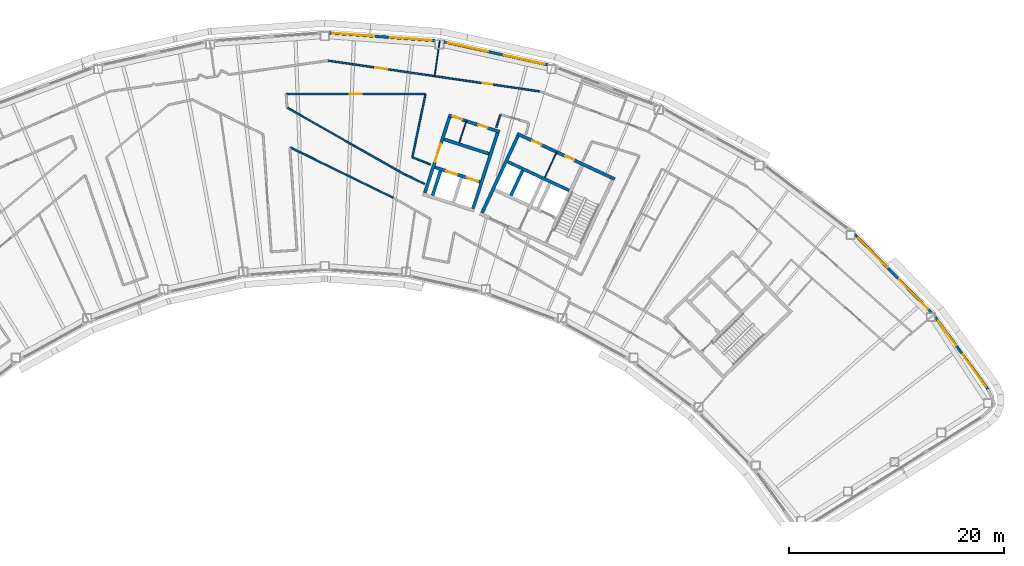
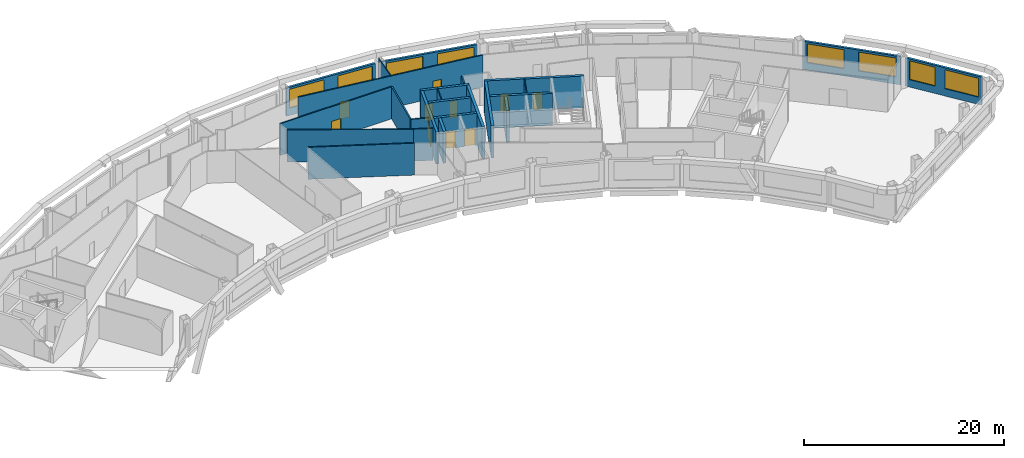
# One storey, part 10 of 16: 25 walls, 10 doors, 8 windows, 18 openings.
"""IFC4 building model written with IfcOpenShell, lengths in metres."""

from ifc_helpers import new_model, si_unit, direction, frame, frame_2d, origin, place, context, subcontext, project, spatial, rectangle, extrude, material, layer, layer_set, type_object, element, fill, save


model = new_model("IFC4")

# Units and contexts
model_context = context("Model", 3, precision=1e-05, world=origin(), true_north=direction((0.0, 1.0)))
body_context = subcontext(model_context, "Body", "Model", "MODEL_VIEW")
ifc_project = project(units=[si_unit("LENGTHUNIT", "METRE"), si_unit("AREAUNIT", "SQUARE_METRE"), si_unit("VOLUMEUNIT", "CUBIC_METRE"), si_unit("PLANEANGLEUNIT", "RADIAN"), si_unit("MASSUNIT", "GRAM", prefix="KILO")], contexts=[model_context])

# Site, building, storey
site_placement = place(None, origin())
site = spatial("IfcSite", under=ifc_project, at=site_placement, CompositionType="ELEMENT")
building_placement = place(site_placement, origin())
building = spatial("IfcBuilding", under=site, at=building_placement, Name="Tuul Gate Civic Tower", CompositionType="ELEMENT")
storey_placement = place(building_placement, frame((0.0, 0.0, 261.0)))
storey = spatial("IfcBuildingStorey", under=building, at=storey_placement, Name="Level 59", CompositionType="ELEMENT", Elevation=261.0)

# Wall
ifc_material_1 = material(Name="Concrete C50/60", Category="concrete")
ifc_layer_1 = layer(ifc_material_1, 0.300048828125)
ifc_layer_set_1 = layer_set([ifc_layer_1], Name="Concrete C50/60")
wall_type_1 = type_object("IfcWallType", Name="Core wall C50/60", PredefinedType="SHEAR", material=ifc_layer_set_1)
wall_1_placement = place(storey_placement, frame((33.75, -0.873779296875, 0.0), z_axis=(0.0, 0.0, 1.0), x_axis=(-0.906300917592, 0.422632992999, 0.0)))
element("IfcWall", 1, at=wall_1_placement, inside=storey, type_object=wall_type_1, Name="Core wall", PredefinedType="SHEAR", context=body_context, shape_type="SweptSolid", body=[
    extrude(rectangle(XDim=6.300048828125, YDim=0.300048828125, at=frame_2d((3.14990234375, 0.0))), origin(), (0.0, 0.0, 1.0), 3.89990234375),
])

# Wall, openings, doors
wall_2_placement = place(storey_placement, frame((37.993408203125, 0.181884765625, 0.0), z_axis=(0.0, 0.0, 1.0), x_axis=(-0.906310338845, 0.422612789327, 0.0)))
wall_2 = element("IfcWall", 2, at=wall_2_placement, inside=storey, type_object=wall_type_1, Name="Core wall", PredefinedType="SHEAR", context=body_context, shape_type="SweptSolid", body=[
    extrude(rectangle(XDim=9.999755859375, YDim=0.300048828125, at=frame_2d((5.0, 0.0))), origin(), (0.0, 0.0, 1.0), 3.89990234375),
])
opening_1_placement = place(wall_2_placement, frame((4.14990234375, 0.0, 0.0)))
opening_1 = element("IfcOpeningElement", 3, at=opening_1_placement, cuts=wall_2, Name="Opening V-D30", PredefinedType="OPENING", context=body_context, shape_type="SweptSolid", body=[
    extrude(rectangle(XDim=0.89990234375, YDim=2.10009765625, at=frame_2d((0.449951171875, 1.050048828125))), frame((0.0, 0.16015625, 0.0), z_axis=(0.0, -1.0, 0.0), x_axis=(1.0, 0.0, 0.0)), (0.0, 0.0, 1.0), 0.320068359375),
])
opening_2_placement = place(wall_2_placement, frame((7.52490234375, 0.0, 0.0)))
opening_2 = element("IfcOpeningElement", 4, at=opening_2_placement, cuts=wall_2, Name="Opening V-D31", PredefinedType="OPENING", context=body_context, shape_type="SweptSolid", body=[
    extrude(rectangle(XDim=0.89990234375, YDim=2.10009765625, at=frame_2d((0.449951171875, 1.050048828125))), frame((0.0, 0.16015625, 0.0), z_axis=(0.0, -1.0, 0.0), x_axis=(1.0, 0.0, 0.0)), (0.0, 0.0, 1.0), 0.320068359375),
])
ifc_material_2 = material(Name="Timber door leaf", Category="wood")
door_type_1 = type_object("IfcDoorType", Name="Door D09", OperationType="NOTDEFINED", PredefinedType="DOOR", material=ifc_material_2)
door_1_placement = place(opening_1_placement, origin())
door_1 = element("IfcDoor", 5, at=door_1_placement, inside=storey, type_object=door_type_1, Name="Door V-D30", OperationType="SINGLE_SWING_LEFT", OverallHeight=2.10009765625, OverallWidth=0.89990234375, PredefinedType="DOOR", context=body_context, shape_type="SweptSolid", body=[
    extrude(rectangle(XDim=0.89990234375, YDim=2.10009765625, at=frame_2d((0.449951171875, 1.050048828125))), frame((0.0, 0.02490234375, 0.0), z_axis=(0.0, -1.0, 0.0), x_axis=(1.0, 0.0, 0.0)), (0.0, 0.0, 1.0), 0.050048828125),
])
fill(opening_1, door_1)
door_2_placement = place(opening_2_placement, origin())
door_2 = element("IfcDoor", 6, at=door_2_placement, inside=storey, type_object=door_type_1, Name="Door V-D31", OperationType="SINGLE_SWING_RIGHT", OverallHeight=2.10009765625, OverallWidth=0.89990234375, PredefinedType="DOOR", context=body_context, shape_type="SweptSolid", body=[
    extrude(rectangle(XDim=0.89990234375, YDim=2.10009765625, at=frame_2d((0.449951171875, 1.050048828125))), frame((0.0, 0.02490234375, 0.0), z_axis=(0.0, -1.0, 0.0), x_axis=(1.0, 0.0, 0.0)), (0.0, 0.0, 1.0), 0.050048828125),
])
fill(opening_2, door_2)

# Walls
wall_3_placement = place(storey_placement, frame((28.349365234375, -1.33447265625, 0.0), z_axis=(0.0, 0.0, 1.0), x_axis=(0.422612891016, 0.906310291427, 0.0)))
element("IfcWall", 7, at=wall_3_placement, inside=storey, type_object=wall_type_1, Name="Core wall", PredefinedType="SHEAR", context=body_context, shape_type="SweptSolid", body=[
    extrude(rectangle(XDim=2.550048828125, YDim=0.300048828125, at=frame_2d((1.27490234375, 0.0))), origin(), (0.0, 0.0, 1.0), 3.89990234375),
])
wall_4_placement = place(storey_placement, frame((25.66455078125, -2.951416015625, 0.0), z_axis=(0.0, 0.0, 1.0), x_axis=(0.422582604137, 0.906324413596, 0.0)))
element("IfcWall", 8, at=wall_4_placement, inside=storey, type_object=wall_type_1, Name="Core wall", PredefinedType="SHEAR", context=body_context, shape_type="SweptSolid", body=[
    extrude(rectangle(XDim=7.89990234375, YDim=0.300048828125, at=frame_2d((3.949951171875, 0.0))), origin(), (0.0, 0.0, 1.0), 3.89990234375),
])

# Wall, openings, doors
ifc_material_3 = material(Name="Gypsum board partition")
ifc_layer_2 = layer(ifc_material_3, 0.14990234375)
ifc_layer_set_2 = layer_set([ifc_layer_2], Name="Gypsum board partition")
wall_type_2 = type_object("IfcWallType", Name="Corridor wall P150", PredefinedType="PARTITIONING", material=ifc_layer_set_2)
wall_5_placement = place(storey_placement, frame((11.341064453125, 11.19580078125, 0.0), z_axis=(0.0, 0.0, 1.0), x_axis=(0.989615961435, -0.143736734602, 0.0)))
wall_5 = element("IfcWall", 9, at=wall_5_placement, inside=storey, type_object=wall_type_2, Name="p014", PredefinedType="PARTITIONING", context=body_context, shape_type="SweptSolid", body=[
    extrude(rectangle(XDim=19.92529296875, YDim=0.14990234375, at=frame_2d((9.962646484375, 0.0))), origin(), (0.0, 0.0, 1.0), 3.89990234375),
])
opening_3_placement = place(wall_5_placement, frame((14.52001953125, 0.0, 0.0)))
opening_3 = element("IfcOpeningElement", 10, at=opening_3_placement, cuts=wall_5, Name="Opening V-D03", PredefinedType="OPENING", context=body_context, shape_type="SweptSolid", body=[
    extrude(rectangle(XDim=0.89990234375, YDim=2.10009765625, at=frame_2d((0.449951171875, 1.050048828125))), frame((0.0, 0.0849609375, 0.0), z_axis=(0.0, -1.0, 0.0), x_axis=(1.0, 0.0, 0.0)), (0.0, 0.0, 1.0), 0.169921875),
])
opening_4_placement = place(wall_5_placement, frame((4.457275390625, 0.0, 0.0)))
opening_4 = element("IfcOpeningElement", 11, at=opening_4_placement, cuts=wall_5, Name="Opening V-D04", PredefinedType="OPENING", context=body_context, shape_type="SweptSolid", body=[
    extrude(rectangle(XDim=1.10009765625, YDim=2.10009765625, at=frame_2d((0.550048828125, 1.050048828125))), frame((0.0, 0.0849609375, 0.0), z_axis=(0.0, -1.0, 0.0), x_axis=(1.0, 0.0, 0.0)), (0.0, 0.0, 1.0), 0.169921875),
])
door_3_placement = place(opening_3_placement, origin())
door_3 = element("IfcDoor", 12, at=door_3_placement, inside=storey, type_object=door_type_1, Name="Door V-D03", OperationType="SINGLE_SWING_RIGHT", OverallHeight=2.10009765625, OverallWidth=0.89990234375, PredefinedType="DOOR", context=body_context, shape_type="SweptSolid", body=[
    extrude(rectangle(XDim=0.89990234375, YDim=2.10009765625, at=frame_2d((0.449951171875, 1.050048828125))), frame((0.0, 0.02490234375, 0.0), z_axis=(0.0, -1.0, 0.0), x_axis=(1.0, 0.0, 0.0)), (0.0, 0.0, 1.0), 0.050048828125),
])
fill(opening_3, door_3)
ifc_material_4 = material(Name="Timber door leaf", Category="wood")
door_type_2 = type_object("IfcDoorType", Name="Door D11", OperationType="NOTDEFINED", PredefinedType="DOOR", material=ifc_material_4)
door_4_placement = place(opening_4_placement, origin())
door_4 = element("IfcDoor", 13, at=door_4_placement, inside=storey, type_object=door_type_2, Name="Door V-D04", OperationType="SINGLE_SWING_RIGHT", OverallHeight=2.10009765625, OverallWidth=1.10009765625, PredefinedType="DOOR", context=body_context, shape_type="SweptSolid", body=[
    extrude(rectangle(XDim=1.10009765625, YDim=2.10009765625, at=frame_2d((0.550048828125, 1.050048828125))), frame((0.0, 0.02490234375, 0.0), z_axis=(0.0, -1.0, 0.0), x_axis=(1.0, 0.0, 0.0)), (0.0, 0.0, 1.0), 0.050048828125),
])
fill(opening_4, door_4)

# Walls
wall_6_placement = place(storey_placement, frame((7.5400390625, 6.827880859375, 0.0), z_axis=(0.0, 0.0, 1.0), x_axis=(0.869039882895, -0.494742035749, 0.0)))
element("IfcWall", 14, at=wall_6_placement, inside=storey, type_object=wall_type_2, Name="p022", PredefinedType="PARTITIONING", context=body_context, shape_type="SweptSolid", body=[
    extrude(rectangle(XDim=12.6728515625, YDim=0.14990234375, at=frame_2d((6.33642578125, 0.0))), origin(), (0.0, 0.0, 1.0), 3.89990234375),
])
wall_7_placement = place(storey_placement, frame((18.566162109375, 0.58154296875, 0.0), z_axis=(0.0, 0.0, 1.0), x_axis=(0.899119721773, -0.437702782625, 0.0)))
element("IfcWall", 15, at=wall_7_placement, inside=storey, type_object=wall_type_2, Name="p029", PredefinedType="PARTITIONING", context=body_context, shape_type="SweptSolid", body=[
    extrude(rectangle(XDim=1.935546875, YDim=0.14990234375, at=frame_2d((0.9677734375, 0.0))), origin(), (0.0, 0.0, 1.0), 3.89990234375),
])
wall_8_placement = place(storey_placement, frame((7.81982421875, 3.129150390625, 0.0), z_axis=(0.0, 0.0, 1.0), x_axis=(0.898573794777, -0.4388224417, 0.0)))
element("IfcWall", 16, at=wall_8_placement, inside=storey, type_object=wall_type_2, Name="p064", PredefinedType="PARTITIONING", context=body_context, shape_type="SweptSolid", body=[
    extrude(rectangle(XDim=10.697021484375, YDim=0.14990234375, at=frame_2d((5.3486328125, 0.0))), origin(), (0.0, 0.0, 1.0), 3.89990234375),
])
wall_9_placement = place(storey_placement, frame((26.982421875, 4.993896484375, 0.0), z_axis=(0.0, 0.0, 1.0), x_axis=(0.321299495515, 0.9469776313, 0.0)))
element("IfcWall", 17, at=wall_9_placement, inside=storey, type_object=wall_type_2, Name="p082", PredefinedType="PARTITIONING", context=body_context, shape_type="SweptSolid", body=[
    extrude(rectangle(XDim=1.24072265625, YDim=0.14990234375, at=frame_2d((0.620361328125, 0.0))), origin(), (0.0, 0.0, 1.0), 3.89990234375),
])

# Wall, opening, door
wall_10_placement = place(storey_placement, frame((7.464111328125, 8.092529296875, 0.0), z_axis=(0.0, 0.0, 1.0), x_axis=(0.999999999286, 3.7795752e-05, 0.0)))
wall_10 = element("IfcWall", 18, at=wall_10_placement, inside=storey, type_object=wall_type_2, Name="p095", PredefinedType="PARTITIONING", context=body_context, shape_type="SweptSolid", body=[
    extrude(rectangle(XDim=12.9189453125, YDim=0.14990234375, at=frame_2d((6.45947265625, 0.0))), origin(), (0.0, 0.0, 1.0), 3.89990234375),
])
opening_5_placement = place(wall_10_placement, frame((5.909423828125, 0.0, 0.0)))
opening_5 = element("IfcOpeningElement", 19, at=opening_5_placement, cuts=wall_10, Name="Opening V-D21", PredefinedType="OPENING", context=body_context, shape_type="SweptSolid", body=[
    extrude(rectangle(XDim=1.10009765625, YDim=2.10009765625, at=frame_2d((0.550048828125, 1.050048828125))), frame((0.0, 0.0849609375, 0.0), z_axis=(0.0, -1.0, 0.0), x_axis=(1.0, 0.0, 0.0)), (0.0, 0.0, 1.0), 0.169921875),
])
door_5_placement = place(opening_5_placement, frame((1.10009765625, 0.0, 0.0), z_axis=(0.0, 0.0, 1.0), x_axis=(-1.0, 0.0, 0.0)))
door_5 = element("IfcDoor", 20, at=door_5_placement, inside=storey, type_object=door_type_2, Name="Door V-D21", OperationType="SINGLE_SWING_LEFT", OverallHeight=2.10009765625, OverallWidth=1.10009765625, PredefinedType="DOOR", context=body_context, shape_type="SweptSolid", body=[
    extrude(rectangle(XDim=1.10009765625, YDim=2.10009765625, at=frame_2d((0.550048828125, 1.050048828125))), frame((0.0, 0.02490234375, 0.0), z_axis=(0.0, -1.0, 0.0), x_axis=(1.0, 0.0, 0.0)), (0.0, 0.0, 1.0), 0.050048828125),
])
fill(opening_5, door_5)

# Walls
wall_11_placement = place(storey_placement, frame((19.179443359375, 2.2119140625, 0.0), z_axis=(0.0, 0.0, 1.0), x_axis=(0.204426766244, 0.978881860718, 0.0)))
element("IfcWall", 21, at=wall_11_placement, inside=storey, type_object=wall_type_2, Name="p096", PredefinedType="PARTITIONING", context=body_context, shape_type="SweptSolid", body=[
    extrude(rectangle(XDim=5.9833984375, YDim=0.14990234375, at=frame_2d((2.99169921875, 0.0))), origin(), (0.0, 0.0, 1.0), 3.89990234375),
])
wall_12_placement = place(storey_placement, frame((19.179931640625, 2.211181640625, 0.0), z_axis=(0.0, 0.0, 1.0), x_axis=(0.928632455331, -0.371001028175, 0.0)))
element("IfcWall", 22, at=wall_12_placement, inside=storey, type_object=wall_type_2, Name="p097", PredefinedType="PARTITIONING", context=body_context, shape_type="SweptSolid", body=[
    extrude(rectangle(XDim=1.836669921875, YDim=0.14990234375, at=frame_2d((0.91845703125, 0.0))), origin(), (0.0, 0.0, 1.0), 3.89990234375),
])

# Wall, openings, windows
ifc_material_5 = material(Name="Precast concrete C40/50", Category="concrete")
ifc_layer_3 = layer(ifc_material_5, 0.25)
ifc_layer_set_3 = layer_set([ifc_layer_3], Name="Precast concrete C40/50")
wall_type_3 = type_object("IfcWallType", Name="External wall", PredefinedType="STANDARD", material=ifc_layer_set_3)
wall_13_placement = place(storey_placement, frame((72.719970703125, -19.37060546875, 0.0), z_axis=(0.0, 0.0, 1.0), x_axis=(-0.589821256366, 0.807533829346, 0.0)))
wall_13 = element("IfcWall", 23, at=wall_13_placement, inside=storey, type_object=wall_type_3, Name="External wall", PredefinedType="STANDARD", context=body_context, shape_type="SweptSolid", body=[
    extrude(rectangle(XDim=8.33642578125, YDim=0.25, at=frame_2d((4.168212890625, 0.0))), origin(), (0.0, 0.0, 1.0), 3.449951171875),
])
opening_6_placement = place(wall_13_placement, frame((0.30078125, 0.0, 0.89990234375)))
opening_6 = element("IfcOpeningElement", 24, at=opening_6_placement, cuts=wall_13, Name="Opening W21", PredefinedType="OPENING", context=body_context, shape_type="SweptSolid", body=[
    extrude(rectangle(XDim=3.699951171875, YDim=2.300048828125, at=frame_2d((1.85009765625, 1.14990234375))), frame((0.0, 0.135009765625, 0.0), z_axis=(0.0, -1.0, 0.0), x_axis=(1.0, 0.0, 0.0)), (0.0, 0.0, 1.0), 0.27001953125),
])
opening_7_placement = place(wall_13_placement, frame((5.052001953125, 0.0, 0.89990234375)))
opening_7 = element("IfcOpeningElement", 25, at=opening_7_placement, cuts=wall_13, Name="Opening W23", PredefinedType="OPENING", context=body_context, shape_type="SweptSolid", body=[
    extrude(rectangle(XDim=2.800048828125, YDim=2.300048828125, at=frame_2d((1.39990234375, 1.14990234375))), frame((0.0, 0.135009765625, 0.0), z_axis=(0.0, -1.0, 0.0), x_axis=(1.0, 0.0, 0.0)), (0.0, 0.0, 1.0), 0.27001953125),
])
ifc_material_6 = material(Name="Glass", Category="glass")
window_type_1 = type_object("IfcWindowType", Name="Window W21 3700 x 2300", PartitioningType="SINGLE_PANEL", PredefinedType="WINDOW", material=ifc_material_6)
window_1_placement = place(opening_6_placement, origin())
window_1 = element("IfcWindow", 26, at=window_1_placement, inside=storey, type_object=window_type_1, Name="Window", OverallHeight=2.300048828125, OverallWidth=3.699951171875, PartitioningType="SINGLE_PANEL", PredefinedType="WINDOW", context=body_context, shape_type="SweptSolid", body=[
    extrude(rectangle(XDim=3.699951171875, YDim=2.300048828125, at=frame_2d((1.85009765625, 1.14990234375))), frame((0.0, 0.030029296875, 0.0), z_axis=(0.0, -1.0, 0.0), x_axis=(1.0, 0.0, 0.0)), (0.0, 0.0, 1.0), 0.06005859375),
])
fill(opening_6, window_1)
ifc_material_7 = material(Name="Glass", Category="glass")
window_type_2 = type_object("IfcWindowType", Name="Window W23 2800 x 2300", PartitioningType="SINGLE_PANEL", PredefinedType="WINDOW", material=ifc_material_7)
window_2_placement = place(opening_7_placement, origin())
window_2 = element("IfcWindow", 27, at=window_2_placement, inside=storey, type_object=window_type_2, Name="Window", OverallHeight=2.300048828125, OverallWidth=2.800048828125, PartitioningType="SINGLE_PANEL", PredefinedType="WINDOW", context=body_context, shape_type="SweptSolid", body=[
    extrude(rectangle(XDim=2.800048828125, YDim=2.300048828125, at=frame_2d((1.39990234375, 1.14990234375))), frame((0.0, 0.030029296875, 0.0), z_axis=(0.0, -1.0, 0.0), x_axis=(1.0, 0.0, 0.0)), (0.0, 0.0, 1.0), 0.06005859375),
])
fill(opening_7, window_2)

wall_14_placement = place(storey_placement, frame((67.466064453125, -12.241943359375, 0.0), z_axis=(0.0, 0.0, 1.0), x_axis=(-0.700008693155, 0.714134321754, 0.0)))
wall_14 = element("IfcWall", 28, at=wall_14_placement, inside=storey, type_object=wall_type_3, Name="External wall", PredefinedType="STANDARD", context=body_context, shape_type="SweptSolid", body=[
    extrude(rectangle(XDim=10.197265625, YDim=0.25, at=frame_2d((5.0986328125, 0.0))), origin(), (0.0, 0.0, 1.0), 3.449951171875),
])
opening_8_placement = place(wall_14_placement, frame((0.487060546875, 0.0, 0.89990234375)))
opening_8 = element("IfcOpeningElement", 29, at=opening_8_placement, cuts=wall_14, Name="Opening W22", PredefinedType="OPENING", context=body_context, shape_type="SweptSolid", body=[
    extrude(rectangle(XDim=3.85009765625, YDim=2.300048828125, at=frame_2d((1.925048828125, 1.14990234375))), frame((0.0, 0.135009765625, 0.0), z_axis=(0.0, -1.0, 0.0), x_axis=(1.0, 0.0, 0.0)), (0.0, 0.0, 1.0), 0.27001953125),
])
opening_9_placement = place(wall_14_placement, frame((5.8583984375, 0.0, 0.89990234375)))
opening_9 = element("IfcOpeningElement", 30, at=opening_9_placement, cuts=wall_14, Name="Opening W22", PredefinedType="OPENING", context=body_context, shape_type="SweptSolid", body=[
    extrude(rectangle(XDim=3.85009765625, YDim=2.300048828125, at=frame_2d((1.925048828125, 1.14990234375))), frame((0.0, 0.135009765625, 0.0), z_axis=(0.0, -1.0, 0.0), x_axis=(1.0, 0.0, 0.0)), (0.0, 0.0, 1.0), 0.27001953125),
])
ifc_material_8 = material(Name="Glass", Category="glass")
window_type_3 = type_object("IfcWindowType", Name="Window W22 3850 x 2300", PartitioningType="SINGLE_PANEL", PredefinedType="WINDOW", material=ifc_material_8)
window_3_placement = place(opening_8_placement, origin())
window_3 = element("IfcWindow", 31, at=window_3_placement, inside=storey, type_object=window_type_3, Name="Window", OverallHeight=2.300048828125, OverallWidth=3.85009765625, PartitioningType="SINGLE_PANEL", PredefinedType="WINDOW", context=body_context, shape_type="SweptSolid", body=[
    extrude(rectangle(XDim=3.85009765625, YDim=2.300048828125, at=frame_2d((1.925048828125, 1.14990234375))), frame((0.0, 0.030029296875, 0.0), z_axis=(0.0, -1.0, 0.0), x_axis=(1.0, 0.0, 0.0)), (0.0, 0.0, 1.0), 0.06005859375),
])
fill(opening_8, window_3)
window_4_placement = place(opening_9_placement, origin())
window_4 = element("IfcWindow", 32, at=window_4_placement, inside=storey, type_object=window_type_3, Name="Window", OverallHeight=2.300048828125, OverallWidth=3.85009765625, PartitioningType="SINGLE_PANEL", PredefinedType="WINDOW", context=body_context, shape_type="SweptSolid", body=[
    extrude(rectangle(XDim=3.85009765625, YDim=2.300048828125, at=frame_2d((1.925048828125, 1.14990234375))), frame((0.0, 0.030029296875, 0.0), z_axis=(0.0, -1.0, 0.0), x_axis=(1.0, 0.0, 0.0)), (0.0, 0.0, 1.0), 0.06005859375),
])
fill(opening_9, window_4)

wall_15_placement = place(storey_placement, frame((31.80029296875, 10.804931640625, 0.0), z_axis=(0.0, 0.0, 1.0), x_axis=(-0.976562454365, 0.215234227585, 0.0)))
wall_15 = element("IfcWall", 33, at=wall_15_placement, inside=storey, type_object=wall_type_3, Name="External wall", PredefinedType="STANDARD", context=body_context, shape_type="SweptSolid", body=[
    extrude(rectangle(XDim=9.95361328125, YDim=0.25, at=frame_2d((4.976806640625, 0.0))), origin(), (0.0, 0.0, 1.0), 3.449951171875),
])
opening_10_placement = place(wall_15_placement, frame((0.34228515625, 0.0, 0.89990234375)))
opening_10 = element("IfcOpeningElement", 34, at=opening_10_placement, cuts=wall_15, Name="Opening W22", PredefinedType="OPENING", context=body_context, shape_type="SweptSolid", body=[
    extrude(rectangle(XDim=3.85009765625, YDim=2.300048828125, at=frame_2d((1.925048828125, 1.14990234375))), frame((0.0, 0.135009765625, 0.0), z_axis=(0.0, -1.0, 0.0), x_axis=(1.0, 0.0, 0.0)), (0.0, 0.0, 1.0), 0.27001953125),
])
opening_11_placement = place(wall_15_placement, frame((5.713623046875, 0.0, 0.89990234375)))
opening_11 = element("IfcOpeningElement", 35, at=opening_11_placement, cuts=wall_15, Name="Opening W22", PredefinedType="OPENING", context=body_context, shape_type="SweptSolid", body=[
    extrude(rectangle(XDim=3.85009765625, YDim=2.300048828125, at=frame_2d((1.925048828125, 1.14990234375))), frame((0.0, 0.135009765625, 0.0), z_axis=(0.0, -1.0, 0.0), x_axis=(1.0, 0.0, 0.0)), (0.0, 0.0, 1.0), 0.27001953125),
])
window_5_placement = place(opening_10_placement, origin())
window_5 = element("IfcWindow", 36, at=window_5_placement, inside=storey, type_object=window_type_3, Name="Window", OverallHeight=2.300048828125, OverallWidth=3.85009765625, PartitioningType="SINGLE_PANEL", PredefinedType="WINDOW", context=body_context, shape_type="SweptSolid", body=[
    extrude(rectangle(XDim=3.85009765625, YDim=2.300048828125, at=frame_2d((1.925048828125, 1.14990234375))), frame((0.0, 0.030029296875, 0.0), z_axis=(0.0, -1.0, 0.0), x_axis=(1.0, 0.0, 0.0)), (0.0, 0.0, 1.0), 0.06005859375),
])
fill(opening_10, window_5)
window_6_placement = place(opening_11_placement, origin())
window_6 = element("IfcWindow", 37, at=window_6_placement, inside=storey, type_object=window_type_3, Name="Window", OverallHeight=2.300048828125, OverallWidth=3.85009765625, PartitioningType="SINGLE_PANEL", PredefinedType="WINDOW", context=body_context, shape_type="SweptSolid", body=[
    extrude(rectangle(XDim=3.85009765625, YDim=2.300048828125, at=frame_2d((1.925048828125, 1.14990234375))), frame((0.0, 0.030029296875, 0.0), z_axis=(0.0, -1.0, 0.0), x_axis=(1.0, 0.0, 0.0)), (0.0, 0.0, 1.0), 0.06005859375),
])
fill(opening_11, window_6)

wall_16_placement = place(storey_placement, frame((21.280029296875, 13.057373046875, 0.0), z_axis=(0.0, 0.0, 1.0), x_axis=(-0.99738717169, 0.072241468338, 0.0)))
wall_16 = element("IfcWall", 38, at=wall_16_placement, inside=storey, type_object=wall_type_3, Name="External wall", PredefinedType="STANDARD", context=body_context, shape_type="SweptSolid", body=[
    extrude(rectangle(XDim=9.875, YDim=0.25, at=frame_2d((4.9375, 0.0))), origin(), (0.0, 0.0, 1.0), 3.449951171875),
])
opening_12_placement = place(wall_16_placement, frame((0.303466796875, 0.0, 0.89990234375)))
opening_12 = element("IfcOpeningElement", 39, at=opening_12_placement, cuts=wall_16, Name="Opening W22", PredefinedType="OPENING", context=body_context, shape_type="SweptSolid", body=[
    extrude(rectangle(XDim=3.85009765625, YDim=2.300048828125, at=frame_2d((1.925048828125, 1.14990234375))), frame((0.0, 0.135009765625, 0.0), z_axis=(0.0, -1.0, 0.0), x_axis=(1.0, 0.0, 0.0)), (0.0, 0.0, 1.0), 0.27001953125),
])
opening_13_placement = place(wall_16_placement, frame((5.67431640625, 0.0, 0.89990234375)))
opening_13 = element("IfcOpeningElement", 40, at=opening_13_placement, cuts=wall_16, Name="Opening W22", PredefinedType="OPENING", context=body_context, shape_type="SweptSolid", body=[
    extrude(rectangle(XDim=3.85009765625, YDim=2.300048828125, at=frame_2d((1.925048828125, 1.14990234375))), frame((0.0, 0.135009765625, 0.0), z_axis=(0.0, -1.0, 0.0), x_axis=(1.0, 0.0, 0.0)), (0.0, 0.0, 1.0), 0.27001953125),
])
window_7_placement = place(opening_12_placement, origin())
window_7 = element("IfcWindow", 41, at=window_7_placement, inside=storey, type_object=window_type_3, Name="Window", OverallHeight=2.300048828125, OverallWidth=3.85009765625, PartitioningType="SINGLE_PANEL", PredefinedType="WINDOW", context=body_context, shape_type="SweptSolid", body=[
    extrude(rectangle(XDim=3.85009765625, YDim=2.300048828125, at=frame_2d((1.925048828125, 1.14990234375))), frame((0.0, 0.030029296875, 0.0), z_axis=(0.0, -1.0, 0.0), x_axis=(1.0, 0.0, 0.0)), (0.0, 0.0, 1.0), 0.06005859375),
])
fill(opening_12, window_7)
window_8_placement = place(opening_13_placement, origin())
window_8 = element("IfcWindow", 42, at=window_8_placement, inside=storey, type_object=window_type_3, Name="Window", OverallHeight=2.300048828125, OverallWidth=3.85009765625, PartitioningType="SINGLE_PANEL", PredefinedType="WINDOW", context=body_context, shape_type="SweptSolid", body=[
    extrude(rectangle(XDim=3.85009765625, YDim=2.300048828125, at=frame_2d((1.925048828125, 1.14990234375))), frame((0.0, 0.030029296875, 0.0), z_axis=(0.0, -1.0, 0.0), x_axis=(1.0, 0.0, 0.0)), (0.0, 0.0, 1.0), 0.06005859375),
])
fill(opening_13, window_8)

# Wall, openings, doors
ifc_material_9 = material(Name="Concrete C40/50", Category="concrete")
ifc_layer_4 = layer(ifc_material_9, 0.300048828125)
ifc_layer_set_4 = layer_set([ifc_layer_4], Name="Concrete C40/50")
wall_type_4 = type_object("IfcWallType", Name="Lift shaft wall C40/50", PredefinedType="STANDARD", material=ifc_layer_set_4)
wall_17_placement = place(storey_placement, frame((25.460693359375, -0.0859375, 0.0), z_axis=(0.0, 0.0, 1.0), x_axis=(-0.951063829732, 0.308994485023, 0.0)))
wall_17 = element("IfcWall", 43, at=wall_17_placement, inside=storey, type_object=wall_type_4, Name="Shaft wall", PredefinedType="STANDARD", context=body_context, shape_type="SweptSolid", body=[
    extrude(rectangle(XDim=4.400146484375, YDim=0.300048828125, at=frame_2d((2.2001953125, 0.0))), origin(), (0.0, 0.0, 1.0), 3.89990234375),
])
opening_14_placement = place(wall_17_placement, frame((0.175048828125, 0.0, 0.0)))
opening_14 = element("IfcOpeningElement", 44, at=opening_14_placement, cuts=wall_17, Name="Opening LD-H2", PredefinedType="OPENING", context=body_context, shape_type="SweptSolid", body=[
    extrude(rectangle(XDim=1.10009765625, YDim=2.10009765625, at=frame_2d((0.550048828125, 1.050048828125))), frame((0.0, 0.16015625, 0.0), z_axis=(0.0, -1.0, 0.0), x_axis=(1.0, 0.0, 0.0)), (0.0, 0.0, 1.0), 0.320068359375),
])
opening_15_placement = place(wall_17_placement, frame((2.22509765625, 0.0, 0.0)))
opening_15 = element("IfcOpeningElement", 45, at=opening_15_placement, cuts=wall_17, Name="Opening LD-H3", PredefinedType="OPENING", context=body_context, shape_type="SweptSolid", body=[
    extrude(rectangle(XDim=1.10009765625, YDim=2.10009765625, at=frame_2d((0.550048828125, 1.050048828125))), frame((0.0, 0.16015625, 0.0), z_axis=(0.0, -1.0, 0.0), x_axis=(1.0, 0.0, 0.0)), (0.0, 0.0, 1.0), 0.320068359375),
])
ifc_material_10 = material(Name="Stainless steel", Category="steel")
door_type_3 = type_object("IfcDoorType", Name="Landing door", OperationType="DOUBLE_DOOR_SLIDING", PredefinedType="DOOR", material=ifc_material_10)
door_6_placement = place(opening_14_placement, origin())
door_6 = element("IfcDoor", 46, at=door_6_placement, inside=storey, type_object=door_type_3, Name="High-rise lift H2 landing door", OperationType="DOUBLE_DOOR_SLIDING", OverallHeight=2.10009765625, OverallWidth=1.10009765625, PredefinedType="DOOR", context=body_context, shape_type="SweptSolid", body=[
    extrude(rectangle(XDim=1.10009765625, YDim=2.10009765625, at=frame_2d((0.550048828125, 1.050048828125))), frame((0.0, 0.02490234375, 0.0), z_axis=(0.0, -1.0, 0.0), x_axis=(1.0, 0.0, 0.0)), (0.0, 0.0, 1.0), 0.050048828125),
])
fill(opening_14, door_6)
door_7_placement = place(opening_15_placement, origin())
door_7 = element("IfcDoor", 47, at=door_7_placement, inside=storey, type_object=door_type_3, Name="High-rise lift H3 landing door", OperationType="DOUBLE_DOOR_SLIDING", OverallHeight=2.10009765625, OverallWidth=1.10009765625, PredefinedType="DOOR", context=body_context, shape_type="SweptSolid", body=[
    extrude(rectangle(XDim=1.10009765625, YDim=2.10009765625, at=frame_2d((0.550048828125, 1.050048828125))), frame((0.0, 0.02490234375, 0.0), z_axis=(0.0, -1.0, 0.0), x_axis=(1.0, 0.0, 0.0)), (0.0, 0.0, 1.0), 0.050048828125),
])
fill(opening_15, door_7)

# Wall
wall_18_placement = place(storey_placement, frame((26.310546875, 2.529541015625, 0.0), z_axis=(0.0, 0.0, 1.0), x_axis=(-0.951058531764, 0.30901079133, 0.0)))
element("IfcWall", 48, at=wall_18_placement, inside=storey, type_object=wall_type_4, Name="Shaft wall", PredefinedType="STANDARD", context=body_context, shape_type="SweptSolid", body=[
    extrude(rectangle(XDim=4.39990234375, YDim=0.300048828125, at=frame_2d((2.199951171875, 0.0))), origin(), (0.0, 0.0, 1.0), 3.89990234375),
])

# Wall, openings, doors
wall_19_placement = place(storey_placement, frame((27.29150390625, 4.57666015625, 0.0), z_axis=(0.0, 0.0, 1.0), x_axis=(-0.951067792613, 0.308982287281, 0.0)))
wall_19 = element("IfcWall", 49, at=wall_19_placement, inside=storey, type_object=wall_type_4, Name="Shaft wall", PredefinedType="STANDARD", context=body_context, shape_type="SweptSolid", body=[
    extrude(rectangle(XDim=5.0, YDim=0.300048828125, at=frame_2d((2.5, 0.0))), origin(), (0.0, 0.0, 1.0), 3.89990234375),
])
opening_16_placement = place(wall_19_placement, frame((1.175048828125, 0.0, 0.0)))
opening_16 = element("IfcOpeningElement", 50, at=opening_16_placement, cuts=wall_19, Name="Opening V-D32", PredefinedType="OPENING", context=body_context, shape_type="SweptSolid", body=[
    extrude(rectangle(XDim=0.89990234375, YDim=2.10009765625, at=frame_2d((0.449951171875, 1.050048828125))), frame((0.0, 0.16015625, 0.0), z_axis=(0.0, -1.0, 0.0), x_axis=(1.0, 0.0, 0.0)), (0.0, 0.0, 1.0), 0.320068359375),
])
opening_17_placement = place(wall_19_placement, frame((3.675048828125, 0.0, 0.0)))
opening_17 = element("IfcOpeningElement", 51, at=opening_17_placement, cuts=wall_19, Name="Opening V-D33", PredefinedType="OPENING", context=body_context, shape_type="SweptSolid", body=[
    extrude(rectangle(XDim=0.89990234375, YDim=2.10009765625, at=frame_2d((0.449951171875, 1.050048828125))), frame((0.0, 0.16015625, 0.0), z_axis=(0.0, -1.0, 0.0), x_axis=(1.0, 0.0, 0.0)), (0.0, 0.0, 1.0), 0.320068359375),
])
door_8_placement = place(opening_16_placement, origin())
door_8 = element("IfcDoor", 52, at=door_8_placement, inside=storey, type_object=door_type_1, Name="Door V-D32", OperationType="SINGLE_SWING_LEFT", OverallHeight=2.10009765625, OverallWidth=0.89990234375, PredefinedType="DOOR", context=body_context, shape_type="SweptSolid", body=[
    extrude(rectangle(XDim=0.89990234375, YDim=2.10009765625, at=frame_2d((0.449951171875, 1.050048828125))), frame((0.0, 0.02490234375, 0.0), z_axis=(0.0, -1.0, 0.0), x_axis=(1.0, 0.0, 0.0)), (0.0, 0.0, 1.0), 0.050048828125),
])
fill(opening_16, door_8)
door_9_placement = place(opening_17_placement, origin())
door_9 = element("IfcDoor", 53, at=door_9_placement, inside=storey, type_object=door_type_1, Name="Door V-D33", OperationType="SINGLE_SWING_RIGHT", OverallHeight=2.10009765625, OverallWidth=0.89990234375, PredefinedType="DOOR", context=body_context, shape_type="SweptSolid", body=[
    extrude(rectangle(XDim=0.89990234375, YDim=2.10009765625, at=frame_2d((0.449951171875, 1.050048828125))), frame((0.0, 0.02490234375, 0.0), z_axis=(0.0, -1.0, 0.0), x_axis=(1.0, 0.0, 0.0)), (0.0, 0.0, 1.0), 0.050048828125),
])
fill(opening_17, door_9)

# Walls
wall_20_placement = place(storey_placement, frame((24.815185546875, -2.557373046875, 0.0), z_axis=(0.0, 0.0, 1.0), x_axis=(0.30907264409, 0.951038432807, 0.0)))
element("IfcWall", 54, at=wall_20_placement, inside=storey, type_object=wall_type_4, Name="Shaft wall", PredefinedType="STANDARD", context=body_context, shape_type="SweptSolid", body=[
    extrude(rectangle(XDim=7.39990234375, YDim=0.300048828125, at=frame_2d((3.699951171875, 0.0))), origin(), (0.0, 0.0, 1.0), 3.89990234375),
])
wall_21_placement = place(storey_placement, frame((21.058349609375, -1.336669921875, 0.0), z_axis=(0.0, 0.0, 1.0), x_axis=(0.309138975195, 0.951016873675, 0.0)))
element("IfcWall", 55, at=wall_21_placement, inside=storey, type_object=wall_type_4, Name="Shaft wall", PredefinedType="STANDARD", context=body_context, shape_type="SweptSolid", body=[
    extrude(rectangle(XDim=2.400146484375, YDim=0.300048828125, at=frame_2d((1.2001953125, 0.0))), origin(), (0.0, 0.0, 1.0), 3.89990234375),
])

# Wall, opening, door
wall_22_placement = place(storey_placement, frame((20.34521484375, -1.10498046875, 0.0), z_axis=(0.0, 0.0, 1.0), x_axis=(0.30907264409, 0.951038432807, 0.0)))
wall_22 = element("IfcWall", 56, at=wall_22_placement, inside=storey, type_object=wall_type_4, Name="Shaft wall", PredefinedType="STANDARD", context=body_context, shape_type="SweptSolid", body=[
    extrude(rectangle(XDim=7.39990234375, YDim=0.300048828125, at=frame_2d((3.699951171875, 0.0))), origin(), (0.0, 0.0, 1.0), 3.89990234375),
])
opening_18_placement = place(wall_22_placement, frame((3.02490234375, 0.0, 0.0)))
opening_18 = element("IfcOpeningElement", 57, at=opening_18_placement, cuts=wall_22, Name="Opening LB-E4-LOBBY-1", PredefinedType="OPENING", context=body_context, shape_type="SweptSolid", body=[
    extrude(rectangle(XDim=1.800048828125, YDim=2.10009765625, at=frame_2d((0.89990234375, 1.050048828125))), frame((0.0, 0.16015625, 0.0), z_axis=(0.0, -1.0, 0.0), x_axis=(1.0, 0.0, 0.0)), (0.0, 0.0, 1.0), 0.320068359375),
])
ifc_material_11 = material(Name="Steel", Category="steel")
door_type_4 = type_object("IfcDoorType", Name="Lobby door", OperationType="DOUBLE_DOOR_SINGLE_SWING", PredefinedType="DOOR", material=ifc_material_11)
door_10_placement = place(opening_18_placement, frame((1.800048828125, 0.0, 0.0), z_axis=(0.0, 0.0, 1.0), x_axis=(-1.0, 0.0, 0.0)))
door_10 = element("IfcDoor", 58, at=door_10_placement, inside=storey, type_object=door_type_4, Name="Lobby door E4-LOBBY", OperationType="DOUBLE_DOOR_SINGLE_SWING", OverallHeight=2.10009765625, OverallWidth=1.800048828125, PredefinedType="DOOR", context=body_context, shape_type="SweptSolid", body=[
    extrude(rectangle(XDim=1.800048828125, YDim=2.10009765625, at=frame_2d((0.900146484375, 1.050048828125))), frame((0.0, 0.02490234375, 0.0), z_axis=(0.0, -1.0, 0.0), x_axis=(1.0, 0.0, 0.0)), (0.0, 0.0, 1.0), 0.050048828125),
])
fill(opening_18, door_10)

# Walls
ifc_material_12 = material(Name="Gypsum board partition")
ifc_layer_5 = layer(ifc_material_12, 0.10009765625)
ifc_layer_set_5 = layer_set([ifc_layer_5], Name="Gypsum board partition")
wall_type_5 = type_object("IfcWallType", Name="Partition P100", PredefinedType="PARTITIONING", material=ifc_layer_set_5)
wall_23_placement = place(storey_placement, frame((21.251220703125, 9.75634765625, 0.0), z_axis=(0.0, 0.0, 1.0), x_axis=(0.144138268916, 0.989557557413, 0.0)))
element("IfcWall", 59, at=wall_23_placement, inside=storey, type_object=wall_type_5, Name="p013", PredefinedType="PARTITIONING", context=body_context, shape_type="SweptSolid", body=[
    extrude(rectangle(XDim=3.307861328125, YDim=0.10009765625, at=frame_2d((1.65380859375, 0.0))), origin(), (0.0, 0.0, 1.0), 3.89990234375),
])
wall_24_placement = place(storey_placement, frame((31.502197265625, 0.33984375, 0.0), z_axis=(0.0, 0.0, 1.0), x_axis=(0.422556439746, 0.906336612539, 0.0)))
element("IfcWall", 60, at=wall_24_placement, inside=storey, type_object=wall_type_5, Name="bE3-BAND-0", PredefinedType="PARTITIONING", context=body_context, shape_type="SweptSolid", body=[
    extrude(rectangle(XDim=2.599853515625, YDim=0.10009765625, at=frame_2d((1.2998046875, 0.0))), origin(), (0.0, 0.0, 1.0), 3.89990234375),
])
wall_25_placement = place(storey_placement, frame((23.551513671875, 3.583740234375, 0.0), z_axis=(0.0, 0.0, 1.0), x_axis=(0.309033492816, 0.951051155468, 0.0)))
element("IfcWall", 61, at=wall_25_placement, inside=storey, type_object=wall_type_5, Name="bE4-BAND-0", PredefinedType="PARTITIONING", context=body_context, shape_type="SweptSolid", body=[
    extrude(rectangle(XDim=2.099853515625, YDim=0.10009765625, at=frame_2d((1.0498046875, 0.0))), origin(), (0.0, 0.0, 1.0), 3.89990234375),
])

save(model, "model.ifc")
